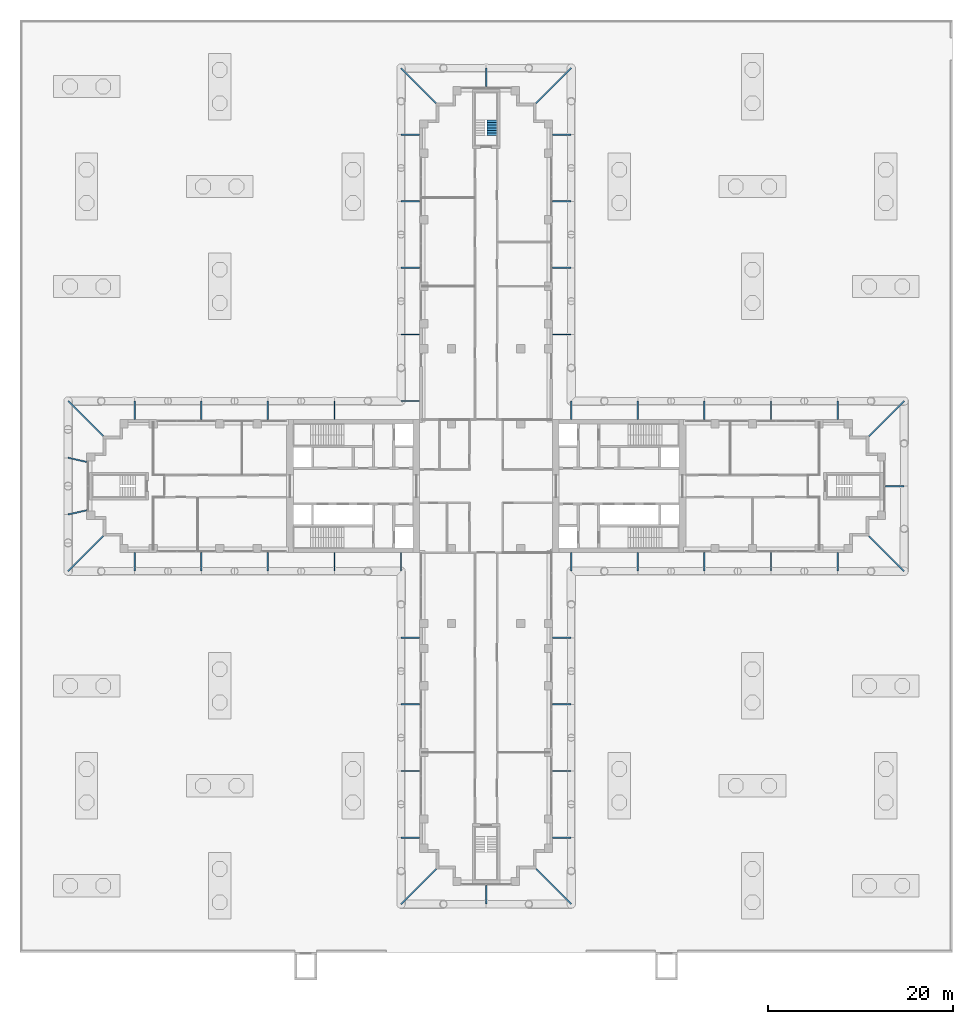
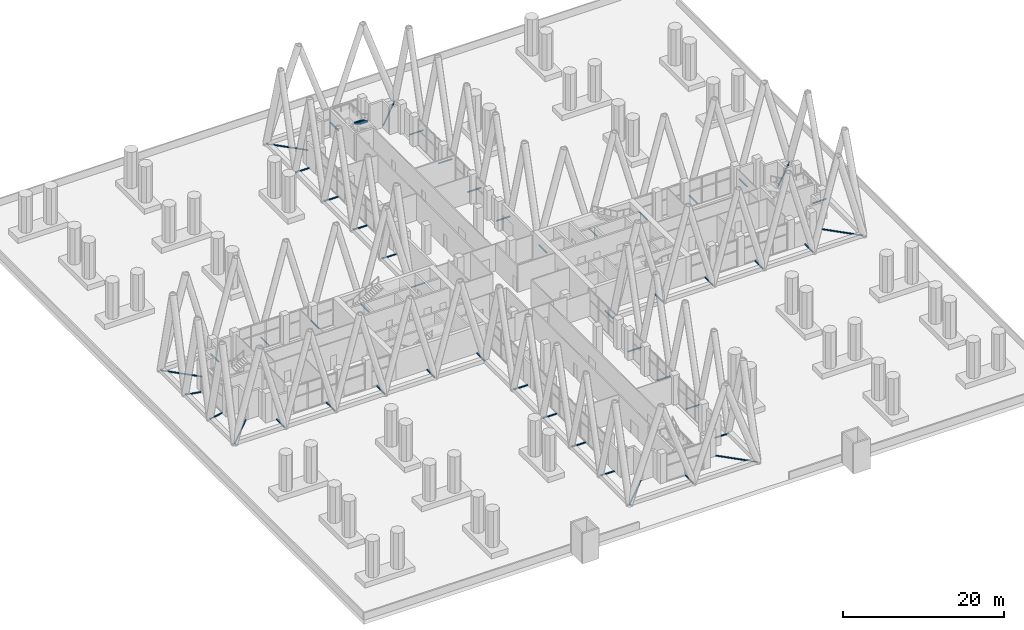
# One storey, part 27 of 31: 49 discrete accessories, 1 stair flight, 1 element without a shape of its own.
"""IFC4 building model written with IfcOpenShell, lengths in metres."""

from ifc_helpers import new_model, si_unit, direction, frame, origin, origin_2d, place, context, subcontext, project, spatial, polyline, hollow_rectangle, outline, extrude, material, type_object, element, aggregate, save


model = new_model("IFC4")

# Units and contexts
model_context = context("Model", 3, precision=1e-05, world=origin(), true_north=direction((0.0, 1.0)))
body_context = subcontext(model_context, "Body", "Model", "MODEL_VIEW")
ifc_project = project(units=[si_unit("LENGTHUNIT", "METRE"), si_unit("AREAUNIT", "SQUARE_METRE"), si_unit("VOLUMEUNIT", "CUBIC_METRE"), si_unit("PLANEANGLEUNIT", "RADIAN"), si_unit("MASSUNIT", "GRAM", prefix="KILO")], contexts=[model_context])

# Site, building, storey
site_placement = place(None, origin())
site = spatial("IfcSite", under=ifc_project, at=site_placement, CompositionType="ELEMENT")
building_placement = place(site_placement, origin())
building = spatial("IfcBuilding", under=site, at=building_placement, Name="Fustian Cross Tower", CompositionType="ELEMENT")
storey_placement = place(building_placement, frame((0.0, 0.0, 7.199951171875)))
storey = spatial("IfcBuildingStorey", under=building, at=storey_placement, Name="L01", CompositionType="ELEMENT", Elevation=7.199951171875)

# Stair, stair flight
ifc_material_1 = material(Name="Concrete C50/60", Category="concrete")
stair_type = type_object("IfcStairType", Name="STAIR 1100 HALF TURN", PredefinedType="HALF_TURN_STAIR", material=ifc_material_1)
stair_placement = place(storey_placement, origin())
stair = element("IfcStair", 1, at=stair_placement, inside=storey, type_object=stair_type, Name="Stair ST5", PredefinedType="HALF_TURN_STAIR")
ifc_material_2 = material(Name="Concrete C50/60", Category="concrete")
stair_flight_type = type_object("IfcStairFlightType", Name="STAIR FLIGHT 1100", PredefinedType="STRAIGHT", material=ifc_material_2)
stair_flight_placement = place(storey_placement, frame((0.64990234375, 39.580078125, 3.375), z_axis=(0.0, 0.0, 1.0), x_axis=(0.0, -1.0, 0.0)))
stair_flight = element("IfcStairFlight", 2, at=stair_flight_placement, type_object=stair_flight_type, Name="ST5 flight 4", NumberOfRisers=7, NumberOfTreads=6, PredefinedType="STRAIGHT", RiserHeight=0.160714286, TreadLength=0.28, context=body_context, shape_type="SweptSolid", body=[
    extrude(outline(polyline([(0.0, 0.0), (0.0, 0.16064453125), (0.280029296875, 0.16064453125), (0.280029296875, 0.321533203125), (0.56005859375, 0.321533203125), (0.56005859375, 0.482177734375), (0.840087890625, 0.482177734375), (0.840087890625, 0.642822265625), (1.1201171875, 0.642822265625), (1.1201171875, 0.803466796875), (1.39990234375, 0.803466796875), (1.39990234375, 0.96435546875), (1.679931640625, 0.96435546875), (1.679931640625, 1.125), (1.679931640625, 0.79150390625), (0.301025390625, 0.0), (0.0, 0.0)])), frame((0.0, 0.550048828125, 0.0), z_axis=(0.0, -1.0, 0.0), x_axis=(1.0, 0.0, 0.0)), (0.0, 0.0, 1.0), 1.10009765625),
])
aggregate(stair, [stair_flight])

# Discrete accessories
ifc_material_3 = material(Name="Steel S355", Category="steel")
discrete_accessory_1_placement = place(storey_placement, frame((45.199951171875, 0.0, 0.074951171875), z_axis=(-1.0, 0.0, 0.0), x_axis=(0.0, -1.0, 0.0)))
element("IfcDiscreteAccessory", 3, at=discrete_accessory_1_placement, inside=storey, material=ifc_material_3, Name="Diagrid node bracket L01-01", PredefinedType="BRACKET", context=body_context, shape_type="SweptSolid", body=[
    extrude(hollow_rectangle(XDim=0.14990234375, YDim=0.14990234375, WallThickness=0.010009765625, at=origin_2d()), origin(), (0.0, 0.0, 1.0), 2.0),
])
discrete_accessory_2_placement = place(storey_placement, frame((45.199951171875, 9.199951171875, 0.074951171875), z_axis=(-0.707106781187, -0.707106781187, 0.0), x_axis=(0.707106781187, -0.707106781187, 0.0)))
element("IfcDiscreteAccessory", 4, at=discrete_accessory_2_placement, inside=storey, material=ifc_material_3, Name="Diagrid node bracket L01-02", PredefinedType="BRACKET", context=body_context, shape_type="SweptSolid", body=[
    extrude(hollow_rectangle(XDim=0.14990234375, YDim=0.14990234375, WallThickness=0.010009765625, at=origin_2d()), origin(), (0.0, 0.0, 1.0), 5.3740234375),
])
for number, where, z_axis, x_axis, name in (
    (5, (38.0, 9.199951171875, 0.074951171875), (0.0, -1.0, 0.0), (1.0, 0.0, 0.0), "Diagrid node bracket L01-03"),
    (6, (30.800048828125, 9.199951171875, 0.074951171875), (0.0, -1.0, 0.0), (1.0, 0.0, 0.0), "Diagrid node bracket L01-04"),
    (7, (23.60009765625, 9.199951171875, 0.074951171875), (0.0, -1.0, 0.0), (1.0, 0.0, 0.0), "Diagrid node bracket L01-05"),
    (8, (16.39990234375, 9.199951171875, 0.074951171875), (0.0, -1.0, 0.0), (1.0, 0.0, 0.0), "Diagrid node bracket L01-06"),
    (9, (9.199951171875, 9.199951171875, 0.074951171875), (0.0, -1.0, 0.0), (1.0, 0.0, 0.0), "Diagrid node bracket L01-07"),
    (10, (9.199951171875, 16.39990234375, 0.074951171875), (-1.0, 0.0, 0.0), (0.0, -1.0, 0.0), "Diagrid node bracket L01-08"),
    (11, (9.199951171875, 23.60009765625, 0.074951171875), (-1.0, 0.0, 0.0), (0.0, -1.0, 0.0), "Diagrid node bracket L01-09"),
    (12, (9.199951171875, 30.800048828125, 0.074951171875), (-1.0, 0.0, 0.0), (0.0, -1.0, 0.0), "Diagrid node bracket L01-10"),
    (13, (9.199951171875, 38.0, 0.074951171875), (-1.0, 0.0, 0.0), (0.0, -1.0, 0.0), "Diagrid node bracket L01-11"),
):
    element("IfcDiscreteAccessory", number, at=place(storey_placement, frame(where, z_axis=z_axis, x_axis=x_axis)), inside=storey, material=ifc_material_3, Name=name, PredefinedType="BRACKET", context=body_context, shape_type="SweptSolid", body=[
        extrude(hollow_rectangle(XDim=0.14990234375, YDim=0.14990234375, WallThickness=0.010009765625, at=origin_2d()), origin(), (0.0, 0.0, 1.0), 2.0),
    ])
discrete_accessory_3_placement = place(storey_placement, frame((9.199951171875, 45.199951171875, 0.074951171875), z_axis=(-0.707106781187, -0.707106781187, 0.0), x_axis=(0.707106781187, -0.707106781187, 0.0)))
element("IfcDiscreteAccessory", 14, at=discrete_accessory_3_placement, inside=storey, material=ifc_material_3, Name="Diagrid node bracket L01-12", PredefinedType="BRACKET", context=body_context, shape_type="SweptSolid", body=[
    extrude(hollow_rectangle(XDim=0.14990234375, YDim=0.14990234375, WallThickness=0.010009765625, at=origin_2d()), origin(), (0.0, 0.0, 1.0), 5.3740234375),
])
discrete_accessory_4_placement = place(storey_placement, frame((0.0, 45.199951171875, 0.074951171875), z_axis=(0.0, -1.0, 0.0), x_axis=(1.0, 0.0, 0.0)))
element("IfcDiscreteAccessory", 15, at=discrete_accessory_4_placement, inside=storey, material=ifc_material_3, Name="Diagrid node bracket L01-13", PredefinedType="BRACKET", context=body_context, shape_type="SweptSolid", body=[
    extrude(hollow_rectangle(XDim=0.14990234375, YDim=0.14990234375, WallThickness=0.010009765625, at=origin_2d()), origin(), (0.0, 0.0, 1.0), 2.0),
])
discrete_accessory_5_placement = place(storey_placement, frame((-9.199951171875, 45.199951171875, 0.074951171875), z_axis=(0.707106781187, -0.707106781187, 0.0), x_axis=(0.707106781187, 0.707106781187, 0.0)))
element("IfcDiscreteAccessory", 16, at=discrete_accessory_5_placement, inside=storey, material=ifc_material_3, Name="Diagrid node bracket L01-14", PredefinedType="BRACKET", context=body_context, shape_type="SweptSolid", body=[
    extrude(hollow_rectangle(XDim=0.14990234375, YDim=0.14990234375, WallThickness=0.010009765625, at=origin_2d()), origin(), (0.0, 0.0, 1.0), 5.3740234375),
])
for number, where, z_axis, x_axis, name in (
    (17, (-9.199951171875, 38.0, 0.074951171875), (1.0, 0.0, 0.0), (0.0, 1.0, 0.0), "Diagrid node bracket L01-15"),
    (18, (-9.199951171875, 30.800048828125, 0.074951171875), (1.0, 0.0, 0.0), (0.0, 1.0, 0.0), "Diagrid node bracket L01-16"),
    (19, (-9.199951171875, 23.60009765625, 0.074951171875), (1.0, 0.0, 0.0), (0.0, 1.0, 0.0), "Diagrid node bracket L01-17"),
    (20, (-9.199951171875, 16.39990234375, 0.074951171875), (1.0, 0.0, 0.0), (0.0, 1.0, 0.0), "Diagrid node bracket L01-18"),
    (21, (-9.199951171875, 9.199951171875, 0.074951171875), (1.0, 0.0, 0.0), (0.0, 1.0, 0.0), "Diagrid node bracket L01-19"),
    (22, (-16.39990234375, 9.199951171875, 0.074951171875), (0.0, -1.0, 0.0), (1.0, 0.0, 0.0), "Diagrid node bracket L01-20"),
    (23, (-23.60009765625, 9.199951171875, 0.074951171875), (0.0, -1.0, 0.0), (1.0, 0.0, 0.0), "Diagrid node bracket L01-21"),
    (24, (-30.800048828125, 9.199951171875, 0.074951171875), (0.0, -1.0, 0.0), (1.0, 0.0, 0.0), "Diagrid node bracket L01-22"),
    (25, (-38.0, 9.199951171875, 0.074951171875), (0.0, -1.0, 0.0), (1.0, 0.0, 0.0), "Diagrid node bracket L01-23"),
):
    element("IfcDiscreteAccessory", number, at=place(storey_placement, frame(where, z_axis=z_axis, x_axis=x_axis)), inside=storey, material=ifc_material_3, Name=name, PredefinedType="BRACKET", context=body_context, shape_type="SweptSolid", body=[
        extrude(hollow_rectangle(XDim=0.14990234375, YDim=0.14990234375, WallThickness=0.010009765625, at=origin_2d()), origin(), (0.0, 0.0, 1.0), 2.0),
    ])
discrete_accessory_6_placement = place(storey_placement, frame((-45.199951171875, 9.199951171875, 0.074951171875), z_axis=(0.707106781187, -0.707106781187, 0.0), x_axis=(0.707106781187, 0.707106781187, 0.0)))
element("IfcDiscreteAccessory", 26, at=discrete_accessory_6_placement, inside=storey, material=ifc_material_3, Name="Diagrid node bracket L01-24", PredefinedType="BRACKET", context=body_context, shape_type="SweptSolid", body=[
    extrude(hollow_rectangle(XDim=0.14990234375, YDim=0.14990234375, WallThickness=0.010009765625, at=origin_2d()), origin(), (0.0, 0.0, 1.0), 5.3740234375),
])
for number, where, z_axis, x_axis, name in (
    (27, (-45.199951171875, 3.066650390625, 0.074951171875), (0.97561485681, -0.21948952406, 0.0), (0.21948952406, 0.97561485681, 0.0), "Diagrid node bracket L01-25"),
    (28, (-45.199951171875, -3.066650390625, 0.074951171875), (0.97561485681, 0.21948952406, 0.0), (-0.21948952406, 0.97561485681, 0.0), "Diagrid node bracket L01-26"),
):
    element("IfcDiscreteAccessory", number, at=place(storey_placement, frame(where, z_axis=z_axis, x_axis=x_axis)), inside=storey, material=ifc_material_3, Name=name, PredefinedType="BRACKET", context=body_context, shape_type="SweptSolid", body=[
        extrude(hollow_rectangle(XDim=0.14990234375, YDim=0.14990234375, WallThickness=0.010009765625, at=origin_2d()), origin(), (0.0, 0.0, 1.0), 2.050048828125),
    ])
discrete_accessory_7_placement = place(storey_placement, frame((-45.199951171875, -9.199951171875, 0.074951171875), z_axis=(0.707106781187, 0.707106781187, 0.0), x_axis=(-0.707106781187, 0.707106781187, 0.0)))
element("IfcDiscreteAccessory", 29, at=discrete_accessory_7_placement, inside=storey, material=ifc_material_3, Name="Diagrid node bracket L01-27", PredefinedType="BRACKET", context=body_context, shape_type="SweptSolid", body=[
    extrude(hollow_rectangle(XDim=0.14990234375, YDim=0.14990234375, WallThickness=0.010009765625, at=origin_2d()), origin(), (0.0, 0.0, 1.0), 5.3740234375),
])
for number, where, z_axis, x_axis, name in (
    (30, (-38.0, -9.199951171875, 0.074951171875), (0.0, 1.0, 0.0), (-1.0, 0.0, 0.0), "Diagrid node bracket L01-28"),
    (31, (-30.800048828125, -9.199951171875, 0.074951171875), (0.0, 1.0, 0.0), (-1.0, 0.0, 0.0), "Diagrid node bracket L01-29"),
    (32, (-23.60009765625, -9.199951171875, 0.074951171875), (0.0, 1.0, 0.0), (-1.0, 0.0, 0.0), "Diagrid node bracket L01-30"),
    (33, (-16.39990234375, -9.199951171875, 0.074951171875), (0.0, 1.0, 0.0), (-1.0, 0.0, 0.0), "Diagrid node bracket L01-31"),
    (34, (-9.199951171875, -9.199951171875, 0.074951171875), (0.0, 1.0, 0.0), (-1.0, 0.0, 0.0), "Diagrid node bracket L01-32"),
    (35, (-9.199951171875, -16.39990234375, 0.074951171875), (1.0, 0.0, 0.0), (0.0, 1.0, 0.0), "Diagrid node bracket L01-33"),
    (36, (-9.199951171875, -23.60009765625, 0.074951171875), (1.0, 0.0, 0.0), (0.0, 1.0, 0.0), "Diagrid node bracket L01-34"),
    (37, (-9.199951171875, -30.800048828125, 0.074951171875), (1.0, 0.0, 0.0), (0.0, 1.0, 0.0), "Diagrid node bracket L01-35"),
    (38, (-9.199951171875, -38.0, 0.074951171875), (1.0, 0.0, 0.0), (0.0, 1.0, 0.0), "Diagrid node bracket L01-36"),
):
    element("IfcDiscreteAccessory", number, at=place(storey_placement, frame(where, z_axis=z_axis, x_axis=x_axis)), inside=storey, material=ifc_material_3, Name=name, PredefinedType="BRACKET", context=body_context, shape_type="SweptSolid", body=[
        extrude(hollow_rectangle(XDim=0.14990234375, YDim=0.14990234375, WallThickness=0.010009765625, at=origin_2d()), origin(), (0.0, 0.0, 1.0), 2.0),
    ])
discrete_accessory_8_placement = place(storey_placement, frame((-9.199951171875, -45.199951171875, 0.074951171875), z_axis=(0.707106781187, 0.707106781187, 0.0), x_axis=(-0.707106781187, 0.707106781187, 0.0)))
element("IfcDiscreteAccessory", 39, at=discrete_accessory_8_placement, inside=storey, material=ifc_material_3, Name="Diagrid node bracket L01-37", PredefinedType="BRACKET", context=body_context, shape_type="SweptSolid", body=[
    extrude(hollow_rectangle(XDim=0.14990234375, YDim=0.14990234375, WallThickness=0.010009765625, at=origin_2d()), origin(), (0.0, 0.0, 1.0), 5.3740234375),
])
discrete_accessory_9_placement = place(storey_placement, frame((0.0, -45.199951171875, 0.074951171875), z_axis=(0.0, 1.0, 0.0), x_axis=(-1.0, 0.0, 0.0)))
element("IfcDiscreteAccessory", 40, at=discrete_accessory_9_placement, inside=storey, material=ifc_material_3, Name="Diagrid node bracket L01-38", PredefinedType="BRACKET", context=body_context, shape_type="SweptSolid", body=[
    extrude(hollow_rectangle(XDim=0.14990234375, YDim=0.14990234375, WallThickness=0.010009765625, at=origin_2d()), origin(), (0.0, 0.0, 1.0), 2.0),
])
discrete_accessory_10_placement = place(storey_placement, frame((9.199951171875, -45.199951171875, 0.074951171875), z_axis=(-0.707106781187, 0.707106781187, 0.0), x_axis=(-0.707106781187, -0.707106781187, 0.0)))
element("IfcDiscreteAccessory", 41, at=discrete_accessory_10_placement, inside=storey, material=ifc_material_3, Name="Diagrid node bracket L01-39", PredefinedType="BRACKET", context=body_context, shape_type="SweptSolid", body=[
    extrude(hollow_rectangle(XDim=0.14990234375, YDim=0.14990234375, WallThickness=0.010009765625, at=origin_2d()), origin(), (0.0, 0.0, 1.0), 5.3740234375),
])
for number, where, z_axis, x_axis, name in (
    (42, (9.199951171875, -38.0, 0.074951171875), (-1.0, 0.0, 0.0), (0.0, -1.0, 0.0), "Diagrid node bracket L01-40"),
    (43, (9.199951171875, -30.800048828125, 0.074951171875), (-1.0, 0.0, 0.0), (0.0, -1.0, 0.0), "Diagrid node bracket L01-41"),
    (44, (9.199951171875, -23.60009765625, 0.074951171875), (-1.0, 0.0, 0.0), (0.0, -1.0, 0.0), "Diagrid node bracket L01-42"),
    (45, (9.199951171875, -16.39990234375, 0.074951171875), (-1.0, 0.0, 0.0), (0.0, -1.0, 0.0), "Diagrid node bracket L01-43"),
    (46, (9.199951171875, -9.199951171875, 0.074951171875), (0.0, 1.0, 0.0), (-1.0, 0.0, 0.0), "Diagrid node bracket L01-44"),
    (47, (16.39990234375, -9.199951171875, 0.074951171875), (0.0, 1.0, 0.0), (-1.0, 0.0, 0.0), "Diagrid node bracket L01-45"),
    (48, (23.60009765625, -9.199951171875, 0.074951171875), (0.0, 1.0, 0.0), (-1.0, 0.0, 0.0), "Diagrid node bracket L01-46"),
    (49, (30.800048828125, -9.199951171875, 0.074951171875), (0.0, 1.0, 0.0), (-1.0, 0.0, 0.0), "Diagrid node bracket L01-47"),
    (50, (38.0, -9.199951171875, 0.074951171875), (0.0, 1.0, 0.0), (-1.0, 0.0, 0.0), "Diagrid node bracket L01-48"),
):
    element("IfcDiscreteAccessory", number, at=place(storey_placement, frame(where, z_axis=z_axis, x_axis=x_axis)), inside=storey, material=ifc_material_3, Name=name, PredefinedType="BRACKET", context=body_context, shape_type="SweptSolid", body=[
        extrude(hollow_rectangle(XDim=0.14990234375, YDim=0.14990234375, WallThickness=0.010009765625, at=origin_2d()), origin(), (0.0, 0.0, 1.0), 2.0),
    ])
discrete_accessory_11_placement = place(storey_placement, frame((45.199951171875, -9.199951171875, 0.074951171875), z_axis=(-0.707106781187, 0.707106781187, 0.0), x_axis=(-0.707106781187, -0.707106781187, 0.0)))
element("IfcDiscreteAccessory", 51, at=discrete_accessory_11_placement, inside=storey, material=ifc_material_3, Name="Diagrid node bracket L01-49", PredefinedType="BRACKET", context=body_context, shape_type="SweptSolid", body=[
    extrude(hollow_rectangle(XDim=0.14990234375, YDim=0.14990234375, WallThickness=0.010009765625, at=origin_2d()), origin(), (0.0, 0.0, 1.0), 5.3740234375),
])

save(model, "model.ifc")
